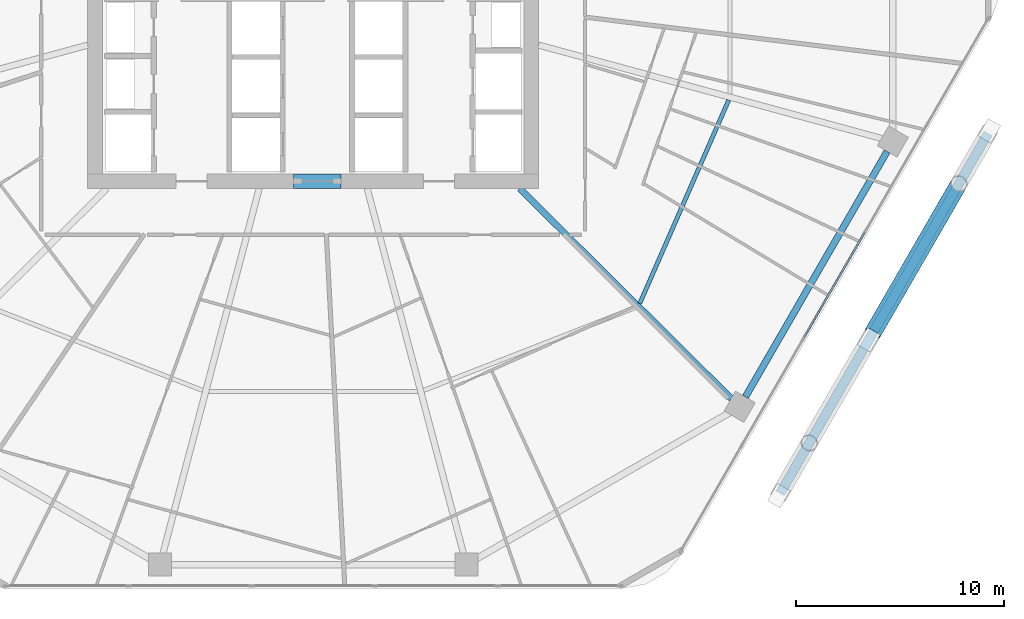
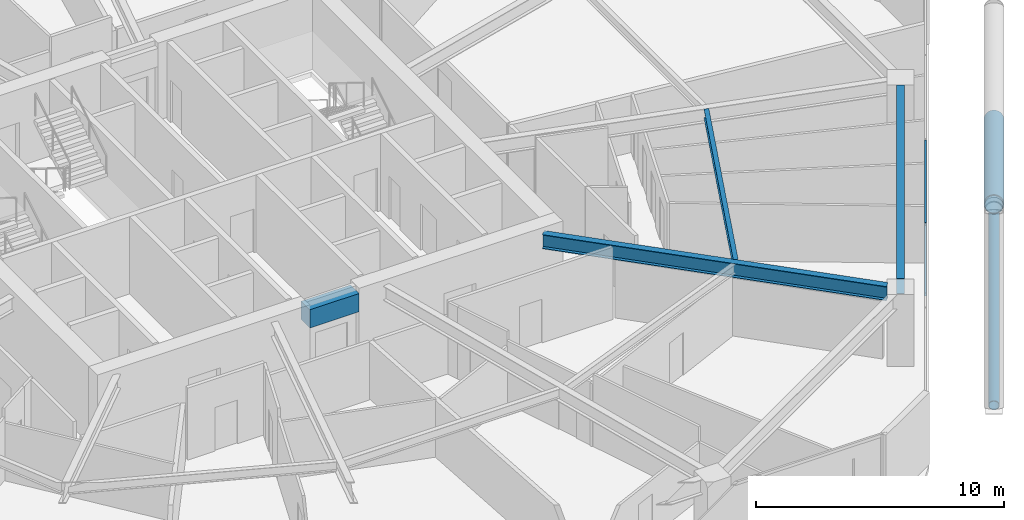
# One storey, part 10 of 35: 4 beams, 4 members, 1 element without a shape of its own.
"""IFC4 building model written with IfcOpenShell, lengths in metres."""

from ifc_helpers import new_model, si_unit, direction, frame, origin, origin_2d, place, context, subcontext, project, spatial, rectangle, hollow_rectangle, hollow_circle, i_section, extrude, material, material_profile, profile_set, type_object, element, aggregate, save


model = new_model("IFC4")

# Units and contexts
model_context = context("Model", 3, precision=1e-05, world=origin(), true_north=direction((0.0, 1.0)))
body_context = subcontext(model_context, "Body", "Model", "MODEL_VIEW")
ifc_project = project(units=[si_unit("LENGTHUNIT", "METRE"), si_unit("AREAUNIT", "SQUARE_METRE"), si_unit("VOLUMEUNIT", "CUBIC_METRE"), si_unit("PLANEANGLEUNIT", "RADIAN"), si_unit("MASSUNIT", "GRAM", prefix="KILO")], contexts=[model_context])

# Site, building, storey
site_placement = place(None, origin())
site = spatial("IfcSite", under=ifc_project, at=site_placement, CompositionType="ELEMENT")
building_placement = place(site_placement, origin())
building = spatial("IfcBuilding", under=site, at=building_placement, Name="Zuhravey Tower", CompositionType="ELEMENT")
storey_placement = place(building_placement, frame((0.0, 0.0, 122.800048828125)))
storey = spatial("IfcBuildingStorey", under=building, at=storey_placement, Name="L30", CompositionType="ELEMENT", Elevation=122.800048828125)

# Beam
ifc_material_1 = material(Name="Concrete C60/75", Category="concrete")
ifc_material_profile_1 = material_profile(ifc_material_1, rectangle(XDim=0.699951171875, YDim=0.89990234375, at=origin_2d()), Name="RC-700x900")
ifc_profile_set_1 = profile_set([ifc_material_profile_1], Name="Concrete C60/75")
beam_type_1 = type_object("IfcBeamType", Name="Core Coupling Beam RC700x900", PredefinedType="LINTEL", material=ifc_profile_set_1)
beam_1_placement = place(storey_placement, frame((35.052001953125, 22.5, 3.099853515625), z_axis=(1.0, 0.0, 0.0), x_axis=(0.0, 1.0, 0.0)))
element("IfcBeam", 1, at=beam_1_placement, inside=storey, type_object=beam_type_1, Name="L30 CB1 BM-L30-CB-S", PredefinedType="LINTEL", context=body_context, shape_type="SweptSolid", body=[
    extrude(rectangle(XDim=0.699951171875, YDim=0.89990234375, at=origin_2d()), origin(), (0.0, 0.0, 1.0), 2.2958984375),
])

# Curtain wall, members
ifc_material_2 = material(Name="Thermally broken anodised aluminium", Category="aluminium")
curtain_wall_type = type_object("IfcCurtainWallType", Name="Zone 1-2 Residential Curtain Wall CW3", PredefinedType="NOTDEFINED", material=ifc_material_2)
curtain_wall_placement = place(storey_placement, origin())
curtain_wall = element("IfcCurtainWall", 2, at=curtain_wall_placement, inside=storey, type_object=curtain_wall_type, Name="L30 CW3 CW-L30-F6-1", PredefinedType="NOTDEFINED")
ifc_material_3 = material(Name="Anodised aluminium", Category="aluminium")
ifc_material_profile_2 = material_profile(ifc_material_3, hollow_rectangle(XDim=0.090087890625, YDim=0.14990234375, WallThickness=0.0048828125, at=origin_2d()), Name="ALU-RHS-90x150x5")
ifc_profile_set_2 = profile_set([ifc_material_profile_2], Name="Anodised aluminium")
member_type_1 = type_object("IfcMemberType", Name="Curtain-Wall Transom 90x150", PredefinedType="USERDEFINED", material=ifc_profile_set_2)
member_1_placement = place(storey_placement, frame((62.5361328125, 20.045166015625, 0.044921875), z_axis=(-0.499981042766, -0.866036348472, 0.0), x_axis=(0.866036348472, -0.499981042766, 0.0)))
member_1 = element("IfcMember", 3, at=member_1_placement, type_object=member_type_1, Name="CW3 transom 3.1", ObjectType="TRANSOM", PredefinedType="USERDEFINED", context=body_context, shape_type="SweptSolid", body=[
    extrude(hollow_rectangle(XDim=0.090087890625, YDim=0.14990234375, WallThickness=0.0048828125, at=origin_2d()), origin(), (0.0, 0.0, 1.0), 5.829833984375),
])
member_2_placement = place(storey_placement, frame((62.5361328125, 20.045166015625, 3.5048828125), z_axis=(-0.499981042766, -0.866036348472, 0.0), x_axis=(0.866036348472, -0.499981042766, 0.0)))
member_2 = element("IfcMember", 4, at=member_2_placement, type_object=member_type_1, Name="CW3 transom 3.2", ObjectType="TRANSOM", PredefinedType="USERDEFINED", context=body_context, shape_type="SweptSolid", body=[
    extrude(hollow_rectangle(XDim=0.090087890625, YDim=0.14990234375, WallThickness=0.0048828125, at=origin_2d()), origin(), (0.0, 0.0, 1.0), 5.829833984375),
])
aggregate(curtain_wall, [member_1, member_2])

# Members
ifc_material_4 = material(Name="Steel SM355", Category="steel")
ifc_material_profile_3 = material_profile(ifc_material_4, hollow_circle(Radius=0.228515625, WallThickness=0.02197265625, at=origin_2d()), Name="CHS-457.2x22")
ifc_profile_set_3 = profile_set([ifc_material_profile_3], Name="Steel SM355")
member_type_2 = type_object("IfcMemberType", Name="Exoskeleton Ring Tie CHS457x22", PredefinedType="CHORD", material=ifc_profile_set_3)
member_3_placement = place(storey_placement, frame((58.470703125, 7.483154296875, -0.464111328125), z_axis=(0.499987058157, 0.866032875632, 0.0), x_axis=(-0.866032875632, 0.499987058157, 0.0)))
element("IfcMember", 5, at=member_3_placement, inside=storey, type_object=member_type_2, Name="L30 Exoskeleton Face 6 Tie EXR1", PredefinedType="CHORD", context=body_context, shape_type="SweptSolid", body=[
    extrude(hollow_circle(Radius=0.228515625, WallThickness=0.02197265625, at=origin_2d()), origin(), (0.0, 0.0, 1.0), 19.99365234375),
])
ifc_material_5 = material(Name="Steel SM460", Category="steel")
ifc_material_profile_4 = material_profile(ifc_material_5, hollow_circle(Radius=0.406494140625, WallThickness=0.035888671875, at=origin_2d()), Name="CHS-812.8x36")
ifc_profile_set_4 = profile_set([ifc_material_profile_4], Name="Steel SM460")
member_type_3 = type_object("IfcMemberType", Name="Exoskeleton Zone 1 Diagrid CHS813x36", PredefinedType="BRACE", material=ifc_profile_set_4)
member_4_placement = place(storey_placement, frame((68.511474609375, 24.87451171875, -0.447021484375), z_axis=(-0.475188029637, -0.823049078063, 0.311105370557), x_axis=(0.866025211119, -0.500000333706, 0.0)))
element("IfcMember", 6, at=member_4_placement, inside=storey, type_object=member_type_3, Name="L30 Face 6 Split Diagrid Brace 3A", PredefinedType="BRACE", context=body_context, shape_type="SweptSolid", body=[
    extrude(hollow_circle(Radius=0.406494140625, WallThickness=0.035888671875, at=origin_2d()), origin(), (0.0, 0.0, 1.0), 11.763427734375),
])

# Beams
ifc_material_profile_5 = material_profile(ifc_material_4, i_section(OverallWidth=0.320068359375, OverallDepth=0.75, WebThickness=0.013916015625, FlangeThickness=0.02490234375, at=origin_2d()), Name="H-750x320x14x25")
ifc_profile_set_5 = profile_set([ifc_material_profile_5], Name="Steel SM355")
beam_type_2 = type_object("IfcBeamType", Name="Perimeter Ring Beam H750x320", PredefinedType="BEAM", material=ifc_profile_set_5)
beam_2_placement = place(storey_placement, frame((56.79541015625, 12.1220703125, 3.175048828125), z_axis=(0.500008177929, 0.866020682204, 0.0), x_axis=(-0.866020682204, 0.500008177929, 0.0)))
element("IfcBeam", 7, at=beam_2_placement, inside=storey, type_object=beam_type_2, Name="L30 PB1 BM-L30-PB-11", PredefinedType="BEAM", context=body_context, shape_type="SweptSolid", body=[
    extrude(i_section(OverallWidth=0.320068359375, OverallDepth=0.75, WebThickness=0.013916015625, FlangeThickness=0.02490234375, at=origin_2d()), origin(), (0.0, 0.0, 1.0), 13.634033203125),
])
ifc_material_profile_6 = material_profile(ifc_material_4, i_section(OverallWidth=0.300048828125, OverallDepth=0.699951171875, WebThickness=0.012939453125, FlangeThickness=0.02392578125, at=origin_2d()), Name="H-700x300x13x24")
ifc_profile_set_6 = profile_set([ifc_material_profile_6], Name="Steel SM355")
beam_type_3 = type_object("IfcBeamType", Name="Radial Primary Girder H700x300", PredefinedType="BEAM", material=ifc_profile_set_6)
beam_3_placement = place(storey_placement, frame((45.931396484375, 22.14697265625, 3.199951171875), z_axis=(0.709906230344, -0.704296204816, 0.0), x_axis=(0.704296204816, 0.709906230344, 0.0)))
element("IfcBeam", 8, at=beam_3_placement, inside=storey, type_object=beam_type_3, Name="L30 RG1 BM-L30-RAD-11", PredefinedType="BEAM", context=body_context, shape_type="SweptSolid", body=[
    extrude(i_section(OverallWidth=0.300048828125, OverallDepth=0.699951171875, WebThickness=0.012939453125, FlangeThickness=0.02392578125, at=origin_2d()), origin(), (0.0, 0.0, 1.0), 14.361083984375),
])
ifc_material_profile_7 = material_profile(ifc_material_4, i_section(OverallWidth=0.199951171875, OverallDepth=0.449951171875, WebThickness=0.009033203125, FlangeThickness=0.013916015625, at=origin_2d()), Name="H-450x200x9x14")
ifc_profile_set_7 = profile_set([ifc_material_profile_7], Name="Steel SM355")
beam_type_4 = type_object("IfcBeamType", Name="Secondary Floor Joist H450x200", PredefinedType="JOIST", material=ifc_profile_set_7)
beam_4_placement = place(storey_placement, frame((51.71044921875, 16.615966796875, 3.324951171875), z_axis=(0.400786454617, 0.916171500209, 0.0), x_axis=(-0.916171500209, 0.400786454617, 0.0)))
element("IfcBeam", 9, at=beam_4_placement, inside=storey, type_object=beam_type_4, Name="L30 SJ1 BM-L30-SJ-11-1", PredefinedType="JOIST", context=body_context, shape_type="SweptSolid", body=[
    extrude(i_section(OverallWidth=0.199951171875, OverallDepth=0.449951171875, WebThickness=0.009033203125, FlangeThickness=0.013916015625, at=origin_2d()), origin(), (0.0, 0.0, 1.0), 10.6796875),
])

save(model, "model.ifc")
